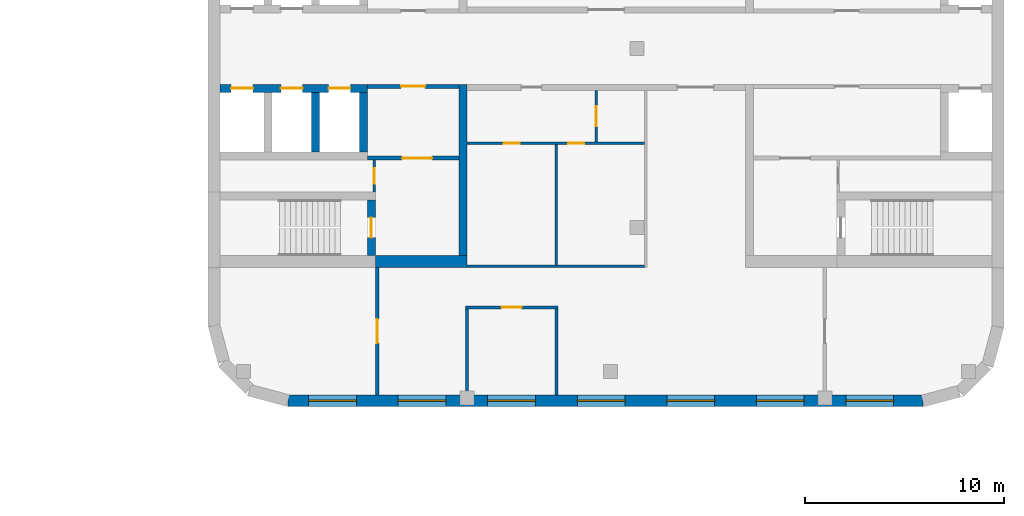
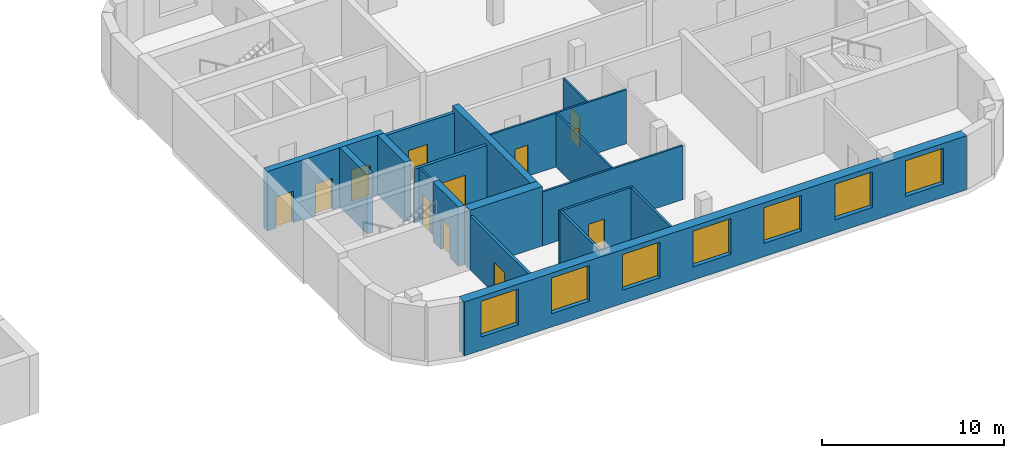
# One storey, part 7 of 16: 18 walls, 12 doors, 7 windows, 19 openings.
"""IFC4 building model written with IfcOpenShell, lengths in metres."""

from ifc_helpers import new_model, si_unit, direction, frame, frame_2d, origin, place, context, subcontext, project, spatial, rectangle, extrude, material, layer, layer_set, type_object, element, fill, save


model = new_model("IFC4")

# Units and contexts
model_context = context("Model", 3, precision=1e-05, world=origin(), true_north=direction((0.0, 1.0)))
body_context = subcontext(model_context, "Body", "Model", "MODEL_VIEW")
ifc_project = project(units=[si_unit("LENGTHUNIT", "METRE"), si_unit("AREAUNIT", "SQUARE_METRE"), si_unit("VOLUMEUNIT", "CUBIC_METRE"), si_unit("PLANEANGLEUNIT", "RADIAN"), si_unit("MASSUNIT", "GRAM", prefix="KILO")], contexts=[model_context])

# Site, building, storey
site_placement = place(None, origin())
site = spatial("IfcSite", under=ifc_project, at=site_placement, CompositionType="ELEMENT")
building_placement = place(site_placement, origin())
building = spatial("IfcBuilding", under=site, at=building_placement, Name="Skarvind Civic Tower", CompositionType="ELEMENT")
storey_placement = place(building_placement, frame((0.0, 0.0, 81.0)))
storey = spatial("IfcBuildingStorey", under=building, at=storey_placement, Name="L18", CompositionType="ELEMENT", Elevation=81.0)

# Wall, opening, door
ifc_material_1 = material(Name="Acoustic gypsum board on steel studs", Category="steel")
ifc_layer_1 = layer(ifc_material_1, 0.175048828125)
ifc_layer_set_1 = layer_set([ifc_layer_1], Name="ACOUSTIC MEETING-ROOM PARTITION 175")
wall_type_1 = type_object("IfcWallType", Name="ACOUSTIC MEETING-ROOM PARTITION 175", PredefinedType="PARTITIONING", material=ifc_layer_set_1)
wall_1_placement = place(storey_placement, frame((135.5, 117.0, 0.0), z_axis=(0.0, 0.0, 1.0), x_axis=(0.0, -1.0, 0.0)))
wall_1 = element("IfcWall", 1, at=wall_1_placement, inside=storey, type_object=wall_type_1, Name="Partition 18.001", PredefinedType="PARTITIONING", context=body_context, shape_type="SweptSolid", body=[
    extrude(rectangle(XDim=6.39990234375, YDim=0.175048828125, at=frame_2d((3.199951171875, 0.0))), origin(), (0.0, 0.0, 1.0), 3.625),
])
opening_1_placement = place(wall_1_placement, frame((2.60009765625, 0.0, 0.0)))
opening_1 = element("IfcOpeningElement", 2, at=opening_1_placement, cuts=wall_1, Name="Opening L18-D111", PredefinedType="OPENING", context=body_context, shape_type="SweptSolid", body=[
    extrude(rectangle(XDim=1.199951171875, YDim=2.10009765625, at=frame_2d((0.60009765625, 1.050048828125))), frame((0.0, 0.097412109375, 0.0), z_axis=(0.0, -1.0, 0.0), x_axis=(1.0, 0.0, 0.0)), (0.0, 0.0, 1.0), 0.195068359375),
])
ifc_material_2 = material(Name="Timber door leaf", Category="wood")
door_type_1 = type_object("IfcDoorType", Name="DOOR 1200X2100 DOUBLE TIMBER", OperationType="NOTDEFINED", PredefinedType="DOOR", material=ifc_material_2)
door_1_placement = place(opening_1_placement, origin())
door_1 = element("IfcDoor", 3, at=door_1_placement, inside=storey, type_object=door_type_1, Name="Door L18-D111", OperationType="DOUBLE_DOOR_SINGLE_SWING", OverallHeight=2.10009765625, OverallWidth=1.199951171875, PredefinedType="DOOR", context=body_context, shape_type="SweptSolid", body=[
    extrude(rectangle(XDim=1.199951171875, YDim=2.10009765625, at=frame_2d((0.60009765625, 1.050048828125))), frame((0.0, 0.02490234375, 0.0), z_axis=(0.0, -1.0, 0.0), x_axis=(1.0, 0.0, 0.0)), (0.0, 0.0, 1.0), 0.050048828125),
])
fill(opening_1, door_1)

ifc_material_3 = material(Name="Fire-rated masonry partition", Category="masonry")
ifc_layer_2 = layer(ifc_material_3, 0.199951171875)
ifc_layer_set_2 = layer_set([ifc_layer_2], Name="Core enclosure wall 200")
wall_type_2 = type_object("IfcWallType", Name="Core enclosure wall 200", PredefinedType="PARTITIONING", material=ifc_layer_set_2)
wall_2_placement = place(storey_placement, frame((139.60009765625, 126.10009765625, 0.0), z_axis=(0.0, 0.0, 1.0), x_axis=(-1.0, 0.0, 0.0)))
wall_2 = element("IfcWall", 4, at=wall_2_placement, inside=storey, type_object=wall_type_2, Name="Core wall CA", PredefinedType="PARTITIONING", context=body_context, shape_type="SweptSolid", body=[
    extrude(rectangle(XDim=4.60009765625, YDim=0.199951171875, at=frame_2d((2.300048828125, 0.0))), origin(), (0.0, 0.0, 1.0), 3.625),
])
opening_2_placement = place(wall_2_placement, frame((1.699951171875, 0.0, 0.0)))
opening_2 = element("IfcOpeningElement", 5, at=opening_2_placement, cuts=wall_2, Name="Opening D-L18-CA-10", PredefinedType="OPENING", context=body_context, shape_type="SweptSolid", body=[
    extrude(rectangle(XDim=1.199951171875, YDim=2.10009765625, at=frame_2d((0.60009765625, 1.050048828125))), frame((0.0, 0.10986328125, 0.0), z_axis=(0.0, -1.0, 0.0), x_axis=(1.0, 0.0, 0.0)), (0.0, 0.0, 1.0), 0.219970703125),
])
ifc_material_4 = material(Name="Fire-rated steel door", Category="steel")
door_type_2 = type_object("IfcDoorType", Name="Core lobby door 1200", OperationType="NOTDEFINED", PredefinedType="DOOR", material=ifc_material_4)
door_2_placement = place(opening_2_placement, origin())
door_2 = element("IfcDoor", 6, at=door_2_placement, inside=storey, type_object=door_type_2, Name="Fire door", OperationType="DOUBLE_DOOR_SINGLE_SWING", OverallHeight=2.10009765625, OverallWidth=1.199951171875, PredefinedType="DOOR", context=body_context, shape_type="SweptSolid", body=[
    extrude(rectangle(XDim=1.199951171875, YDim=2.10009765625, at=frame_2d((0.60009765625, 1.050048828125))), frame((0.0, 0.02490234375, 0.0), z_axis=(0.0, -1.0, 0.0), x_axis=(1.0, 0.0, 0.0)), (0.0, 0.0, 1.0), 0.050048828125),
])
fill(opening_2, door_2)

wall_3_placement = place(storey_placement, frame((139.60009765625, 122.5, 0.0), z_axis=(0.0, 0.0, 1.0), x_axis=(-1.0, 0.0, 0.0)))
wall_3 = element("IfcWall", 7, at=wall_3_placement, inside=storey, type_object=wall_type_2, Name="Core wall CA", PredefinedType="PARTITIONING", context=body_context, shape_type="SweptSolid", body=[
    extrude(rectangle(XDim=4.60009765625, YDim=0.199951171875, at=frame_2d((2.300048828125, 0.0))), origin(), (0.0, 0.0, 1.0), 3.625),
])
opening_3_placement = place(wall_3_placement, frame((1.35009765625, 0.0, 0.0)))
opening_3 = element("IfcOpeningElement", 8, at=opening_3_placement, cuts=wall_3, Name="Opening D-L18-CA-11", PredefinedType="OPENING", context=body_context, shape_type="SweptSolid", body=[
    extrude(rectangle(XDim=1.5, YDim=2.10009765625, at=frame_2d((0.75, 1.050048828125))), frame((0.0, 0.10986328125, 0.0), z_axis=(0.0, -1.0, 0.0), x_axis=(1.0, 0.0, 0.0)), (0.0, 0.0, 1.0), 0.219970703125),
])
door_type_3 = type_object("IfcDoorType", Name="Fire door 1500", OperationType="NOTDEFINED", PredefinedType="DOOR", material=ifc_material_4)
door_3_placement = place(opening_3_placement, origin())
door_3 = element("IfcDoor", 9, at=door_3_placement, inside=storey, type_object=door_type_3, Name="Fire door", OperationType="DOUBLE_DOOR_SINGLE_SWING", OverallHeight=2.10009765625, OverallWidth=1.5, PredefinedType="DOOR", context=body_context, shape_type="SweptSolid", body=[
    extrude(rectangle(XDim=1.5, YDim=2.10009765625, at=frame_2d((0.75, 1.050048828125))), frame((0.0, 0.02490234375, 0.0), z_axis=(0.0, -1.0, 0.0), x_axis=(1.0, 0.0, 0.0)), (0.0, 0.0, 1.0), 0.050048828125),
])
fill(opening_3, door_3)

ifc_material_5 = material(Name="Concrete C80", Category="concrete")
ifc_layer_3 = layer(ifc_material_5, 0.39990234375)
ifc_layer_set_3 = layer_set([ifc_layer_3], Name="Core wall 400 C80")
wall_type_3 = type_object("IfcWallType", Name="Core wall 400 C80", PredefinedType="SHEAR", material=ifc_layer_set_3)
wall_4_placement = place(storey_placement, frame((135.199951171875, 117.60009765625, 0.0), z_axis=(0.0, 0.0, 1.0), x_axis=(0.0, 1.0, 0.0)))
wall_4 = element("IfcWall", 10, at=wall_4_placement, inside=storey, type_object=wall_type_3, Name="Core wall CA south stair end L18", PredefinedType="SHEAR", context=body_context, shape_type="SweptSolid", body=[
    extrude(rectangle(XDim=2.7998046875, YDim=0.39990234375, at=frame_2d((1.39990234375, 0.0))), origin(), (0.0, 0.0, 1.0), 4.0),
])
opening_4_placement = place(wall_4_placement, frame((0.89990234375, 0.0, 0.0)))
opening_4 = element("IfcOpeningElement", 11, at=opening_4_placement, cuts=wall_4, Name="Opening D-L18-CA-12", PredefinedType="OPENING", context=body_context, shape_type="SweptSolid", body=[
    extrude(rectangle(XDim=1.0, YDim=2.10009765625, at=frame_2d((0.5, 1.050048828125))), frame((0.0, 0.2099609375, 0.0), z_axis=(0.0, -1.0, 0.0), x_axis=(1.0, 0.0, 0.0)), (0.0, 0.0, 1.0), 0.419921875),
])
door_type_4 = type_object("IfcDoorType", Name="Fire door 1000", OperationType="NOTDEFINED", PredefinedType="DOOR", material=ifc_material_4)
door_4_placement = place(opening_4_placement, origin())
door_4 = element("IfcDoor", 12, at=door_4_placement, inside=storey, type_object=door_type_4, Name="Fire door", OperationType="SINGLE_SWING_RIGHT", OverallHeight=2.10009765625, OverallWidth=1.0, PredefinedType="DOOR", context=body_context, shape_type="SweptSolid", body=[
    extrude(rectangle(XDim=1.0, YDim=2.10009765625, at=frame_2d((0.5, 1.050048828125))), frame((0.0, 0.02490234375, 0.0), z_axis=(0.0, -1.0, 0.0), x_axis=(1.0, 0.0, 0.0)), (0.0, 0.0, 1.0), 0.050048828125),
])
fill(opening_4, door_4)

# Wall, openings, doors
wall_5_placement = place(storey_placement, frame((127.60009765625, 126.0, 0.0), z_axis=(0.0, 0.0, 1.0), x_axis=(1.0, 0.0, 0.0)))
wall_5 = element("IfcWall", 13, at=wall_5_placement, inside=storey, type_object=wall_type_3, Name="Core wall CA south lift row front L18", PredefinedType="SHEAR", context=body_context, shape_type="SweptSolid", body=[
    extrude(rectangle(XDim=7.39990234375, YDim=0.39990234375, at=frame_2d((3.699951171875, 0.0))), origin(), (0.0, 0.0, 1.0), 4.0),
])
opening_5_placement = place(wall_5_placement, frame((0.550048828125, 0.0, 0.0)))
opening_5 = element("IfcOpeningElement", 14, at=opening_5_placement, cuts=wall_5, Name="Opening LD20304", PredefinedType="OPENING", context=body_context, shape_type="SweptSolid", body=[
    extrude(rectangle(XDim=1.10009765625, YDim=2.10009765625, at=frame_2d((0.550048828125, 1.050048828125))), frame((0.0, 0.2099609375, 0.0), z_axis=(0.0, -1.0, 0.0), x_axis=(1.0, 0.0, 0.0)), (0.0, 0.0, 1.0), 0.419921875),
])
opening_6_placement = place(wall_5_placement, frame((3.050048828125, 0.0, 0.0)))
opening_6 = element("IfcOpeningElement", 15, at=opening_6_placement, cuts=wall_5, Name="Opening LD20305", PredefinedType="OPENING", context=body_context, shape_type="SweptSolid", body=[
    extrude(rectangle(XDim=1.10009765625, YDim=2.10009765625, at=frame_2d((0.550048828125, 1.050048828125))), frame((0.0, 0.2099609375, 0.0), z_axis=(0.0, -1.0, 0.0), x_axis=(1.0, 0.0, 0.0)), (0.0, 0.0, 1.0), 0.419921875),
])
opening_7_placement = place(wall_5_placement, frame((5.449951171875, 0.0, 0.0)))
opening_7 = element("IfcOpeningElement", 16, at=opening_7_placement, cuts=wall_5, Name="Opening LD20306", PredefinedType="OPENING", context=body_context, shape_type="SweptSolid", body=[
    extrude(rectangle(XDim=1.10009765625, YDim=2.10009765625, at=frame_2d((0.550048828125, 1.050048828125))), frame((0.0, 0.2099609375, 0.0), z_axis=(0.0, -1.0, 0.0), x_axis=(1.0, 0.0, 0.0)), (0.0, 0.0, 1.0), 0.419921875),
])
ifc_material_6 = material(Name="Stainless steel landing door", Category="steel")
door_type_5 = type_object("IfcDoorType", Name="Lift landing door 1100", OperationType="DOUBLE_DOOR_SLIDING", PredefinedType="DOOR", material=ifc_material_6)
door_5_placement = place(opening_5_placement, origin())
door_5 = element("IfcDoor", 17, at=door_5_placement, inside=storey, type_object=door_type_5, Name="Lift landing door", OperationType="DOUBLE_DOOR_SLIDING", OverallHeight=2.10009765625, OverallWidth=1.10009765625, PredefinedType="DOOR", context=body_context, shape_type="SweptSolid", body=[
    extrude(rectangle(XDim=1.10009765625, YDim=2.10009765625, at=frame_2d((0.550048828125, 1.050048828125))), frame((0.0, 0.02490234375, 0.0), z_axis=(0.0, -1.0, 0.0), x_axis=(1.0, 0.0, 0.0)), (0.0, 0.0, 1.0), 0.050048828125),
])
fill(opening_5, door_5)
door_6_placement = place(opening_6_placement, origin())
door_6 = element("IfcDoor", 18, at=door_6_placement, inside=storey, type_object=door_type_5, Name="Lift landing door", OperationType="DOUBLE_DOOR_SLIDING", OverallHeight=2.10009765625, OverallWidth=1.10009765625, PredefinedType="DOOR", context=body_context, shape_type="SweptSolid", body=[
    extrude(rectangle(XDim=1.10009765625, YDim=2.10009765625, at=frame_2d((0.550048828125, 1.050048828125))), frame((0.0, 0.02490234375, 0.0), z_axis=(0.0, -1.0, 0.0), x_axis=(1.0, 0.0, 0.0)), (0.0, 0.0, 1.0), 0.050048828125),
])
fill(opening_6, door_6)
door_7_placement = place(opening_7_placement, origin())
door_7 = element("IfcDoor", 19, at=door_7_placement, inside=storey, type_object=door_type_5, Name="Lift landing door", OperationType="DOUBLE_DOOR_SLIDING", OverallHeight=2.10009765625, OverallWidth=1.10009765625, PredefinedType="DOOR", context=body_context, shape_type="SweptSolid", body=[
    extrude(rectangle(XDim=1.10009765625, YDim=2.10009765625, at=frame_2d((0.550048828125, 1.050048828125))), frame((0.0, 0.02490234375, 0.0), z_axis=(0.0, -1.0, 0.0), x_axis=(1.0, 0.0, 0.0)), (0.0, 0.0, 1.0), 0.050048828125),
])
fill(opening_7, door_7)

# Walls
for number, where, z_axis, x_axis, name in (
    (20, (132.39990234375, 122.800048828125, 0.0), (0.0, 0.0, 1.0), (0.0, 1.0, 0.0), "Core wall CA south lift row division 2 L18"),
    (21, (134.800048828125, 122.800048828125, 0.0), (0.0, 0.0, 1.0), (0.0, 1.0, 0.0), "Core wall CA south lift row division 3 L18"),
):
    element("IfcWall", number, at=place(storey_placement, frame(where, z_axis=z_axis, x_axis=x_axis)), inside=storey, type_object=wall_type_3, Name=name, PredefinedType="SHEAR", context=body_context, shape_type="SweptSolid", body=[
        extrude(rectangle(XDim=3.0, YDim=0.39990234375, at=frame_2d((1.5, 0.0))), origin(), (0.0, 0.0, 1.0), 4.0),
    ])
wall_6_placement = place(storey_placement, frame((139.800048828125, 117.60009765625, 0.0), z_axis=(0.0, 0.0, 1.0), x_axis=(0.0, 1.0, 0.0)))
element("IfcWall", 22, at=wall_6_placement, inside=storey, type_object=wall_type_3, Name="Core wall CA south inner face L18", PredefinedType="SHEAR", context=body_context, shape_type="SweptSolid", body=[
    extrude(rectangle(XDim=8.599853515625, YDim=0.39990234375, at=frame_2d((4.2998046875, 0.0))), origin(), (0.0, 0.0, 1.0), 4.0),
])
ifc_layer_4 = layer(ifc_material_5, 0.60009765625)
ifc_layer_set_4 = layer_set([ifc_layer_4], Name="Core wall 600 C80")
wall_type_4 = type_object("IfcWallType", Name="Core wall 600 C80", PredefinedType="SHEAR", material=ifc_layer_set_4)
wall_7_placement = place(storey_placement, frame((135.39990234375, 117.300048828125, 0.0), z_axis=(0.0, 0.0, 1.0), x_axis=(1.0, 0.0, 0.0)))
element("IfcWall", 23, at=wall_7_placement, inside=storey, type_object=wall_type_4, Name="Core wall CA south side L18", PredefinedType="SHEAR", context=body_context, shape_type="SweptSolid", body=[
    extrude(rectangle(XDim=4.60009765625, YDim=0.60009765625, at=frame_2d((2.300048828125, 0.0))), origin(), (0.0, 0.0, 1.0), 4.0),
])
ifc_material_7 = material(Name="Plasterboard partition on steel studs", Category="steel")
ifc_layer_5 = layer(ifc_material_7, 0.14990234375)
ifc_layer_set_5 = layer_set([ifc_layer_5], Name="PARTITION 150")
wall_type_5 = type_object("IfcWallType", Name="PARTITION 150", PredefinedType="PARTITIONING", material=ifc_layer_set_5)
wall_8_placement = place(storey_placement, frame((140.0, 110.60009765625, 0.0), z_axis=(0.0, 0.0, 1.0), x_axis=(0.0, 1.0, 0.0)))
element("IfcWall", 24, at=wall_8_placement, inside=storey, type_object=wall_type_5, Name="Partition 18.003", PredefinedType="PARTITIONING", context=body_context, shape_type="SweptSolid", body=[
    extrude(rectangle(XDim=4.324951171875, YDim=0.14990234375, at=frame_2d((2.16259765625, 0.0))), origin(), (0.0, 0.0, 1.0), 3.625),
])

# Wall, opening, door
wall_9_placement = place(storey_placement, frame((139.925048828125, 115.0, 0.0), z_axis=(0.0, 0.0, 1.0), x_axis=(1.0, 0.0, 0.0)))
wall_9 = element("IfcWall", 25, at=wall_9_placement, inside=storey, type_object=wall_type_5, Name="Partition 18.004", PredefinedType="PARTITIONING", context=body_context, shape_type="SweptSolid", body=[
    extrude(rectangle(XDim=4.64990234375, YDim=0.14990234375, at=frame_2d((2.324951171875, 0.0))), origin(), (0.0, 0.0, 1.0), 3.625),
])
opening_8_placement = place(wall_9_placement, frame((1.824951171875, 0.0, 0.0)))
opening_8 = element("IfcOpeningElement", 26, at=opening_8_placement, cuts=wall_9, Name="Opening L18-D110", PredefinedType="OPENING", context=body_context, shape_type="SweptSolid", body=[
    extrude(rectangle(XDim=1.0, YDim=2.10009765625, at=frame_2d((0.5, 1.050048828125))), frame((0.0, 0.0849609375, 0.0), z_axis=(0.0, -1.0, 0.0), x_axis=(1.0, 0.0, 0.0)), (0.0, 0.0, 1.0), 0.169921875),
])
door_type_6 = type_object("IfcDoorType", Name="D1 1000x2100", OperationType="NOTDEFINED", PredefinedType="DOOR", material=ifc_material_2)
door_8_placement = place(opening_8_placement, origin())
door_8 = element("IfcDoor", 27, at=door_8_placement, inside=storey, type_object=door_type_6, Name="Door L18-D110", OperationType="SINGLE_SWING_LEFT", OverallHeight=2.10009765625, OverallWidth=1.0, PredefinedType="DOOR", context=body_context, shape_type="SweptSolid", body=[
    extrude(rectangle(XDim=1.0, YDim=2.10009765625, at=frame_2d((0.5, 1.050048828125))), frame((0.0, 0.02490234375, 0.0), z_axis=(0.0, -1.0, 0.0), x_axis=(1.0, 0.0, 0.0)), (0.0, 0.0, 1.0), 0.050048828125),
])
fill(opening_8, door_8)

# Wall
wall_10_placement = place(storey_placement, frame((144.5, 114.925048828125, 0.0), z_axis=(0.0, 0.0, 1.0), x_axis=(0.0, -1.0, 0.0)))
element("IfcWall", 28, at=wall_10_placement, inside=storey, type_object=wall_type_5, Name="Partition 18.009", PredefinedType="PARTITIONING", context=body_context, shape_type="SweptSolid", body=[
    extrude(rectangle(XDim=4.324951171875, YDim=0.14990234375, at=frame_2d((2.16259765625, 0.0))), origin(), (0.0, 0.0, 1.0), 3.625),
])

# Wall, opening, door
ifc_layer_6 = layer(ifc_material_3, 0.125)
ifc_layer_set_6 = layer_set([ifc_layer_6], Name="Riser wall 125")
wall_type_6 = type_object("IfcWallType", Name="Riser wall 125", PredefinedType="PARTITIONING", material=ifc_layer_set_6)
wall_11_placement = place(storey_placement, frame((135.33740234375, 122.39990234375, 0.0), z_axis=(0.0, 0.0, 1.0), x_axis=(0.0, -1.0, 0.0)))
wall_11 = element("IfcWall", 29, at=wall_11_placement, inside=storey, type_object=wall_type_6, Name="Core wall CA", PredefinedType="PARTITIONING", context=body_context, shape_type="SweptSolid", body=[
    extrude(rectangle(XDim=1.599853515625, YDim=0.125, at=frame_2d((0.7998046875, 0.0))), origin(), (0.0, 0.0, 1.0), 3.625),
])
opening_9_placement = place(wall_11_placement, frame((0.39990234375, 0.0, 0.0)))
opening_9 = element("IfcOpeningElement", 30, at=opening_9_placement, cuts=wall_11, Name="Opening D-L18-CA-13", PredefinedType="OPENING", context=body_context, shape_type="SweptSolid", body=[
    extrude(rectangle(XDim=0.800048828125, YDim=2.10009765625, at=frame_2d((0.39990234375, 1.050048828125))), frame((0.0, 0.072509765625, 0.0), z_axis=(0.0, -1.0, 0.0), x_axis=(1.0, 0.0, 0.0)), (0.0, 0.0, 1.0), 0.14501953125),
])
door_type_7 = type_object("IfcDoorType", Name="Core riser door 800", OperationType="NOTDEFINED", PredefinedType="DOOR", material=ifc_material_4)
door_9_placement = place(opening_9_placement, origin())
door_9 = element("IfcDoor", 31, at=door_9_placement, inside=storey, type_object=door_type_7, Name="Riser door", OperationType="SINGLE_SWING_LEFT", OverallHeight=2.10009765625, OverallWidth=0.800048828125, PredefinedType="DOOR", context=body_context, shape_type="SweptSolid", body=[
    extrude(rectangle(XDim=0.800048828125, YDim=2.10009765625, at=frame_2d((0.39990234375, 1.050048828125))), frame((0.0, 0.02490234375, 0.0), z_axis=(0.0, -1.0, 0.0), x_axis=(1.0, 0.0, 0.0)), (0.0, 0.0, 1.0), 0.050048828125),
])
fill(opening_9, door_9)

# Wall
ifc_material_8 = material(Name="Moisture-resistant gypsum board on steel studs", Category="steel")
ifc_layer_7 = layer(ifc_material_8, 0.125)
ifc_layer_set_7 = layer_set([ifc_layer_7], Name="WC PARTITION 125")
wall_type_7 = type_object("IfcWallType", Name="WC PARTITION 125", PredefinedType="PARTITIONING", material=ifc_layer_set_7)
wall_12_placement = place(storey_placement, frame((140.0, 117.050048828125, 0.0), z_axis=(0.0, 0.0, 1.0), x_axis=(1.0, 0.0, 0.0)))
element("IfcWall", 32, at=wall_12_placement, inside=storey, type_object=wall_type_7, Name="Partition 18.005", PredefinedType="PARTITIONING", context=body_context, shape_type="SweptSolid", body=[
    extrude(rectangle(XDim=8.93798828125, YDim=0.125, at=frame_2d((4.468994140625, 0.0))), origin(), (0.0, 0.0, 1.0), 3.625),
])

# Wall, openings, doors
wall_13_placement = place(storey_placement, frame((148.93798828125, 123.25, 0.0), z_axis=(0.0, 0.0, 1.0), x_axis=(-1.0, 0.0, 0.0)))
wall_13 = element("IfcWall", 33, at=wall_13_placement, inside=storey, type_object=wall_type_7, Name="Partition 18.006", PredefinedType="PARTITIONING", context=body_context, shape_type="SweptSolid", body=[
    extrude(rectangle(XDim=8.93798828125, YDim=0.125, at=frame_2d((4.468994140625, 0.0))), origin(), (0.0, 0.0, 1.0), 3.625),
])
opening_10_placement = place(wall_13_placement, frame((6.2880859375, 0.0, 0.0)))
opening_10 = element("IfcOpeningElement", 34, at=opening_10_placement, cuts=wall_13, Name="Opening L18-D107", PredefinedType="OPENING", context=body_context, shape_type="SweptSolid", body=[
    extrude(rectangle(XDim=0.800048828125, YDim=2.10009765625, at=frame_2d((0.39990234375, 1.050048828125))), frame((0.0, 0.072509765625, 0.0), z_axis=(0.0, -1.0, 0.0), x_axis=(1.0, 0.0, 0.0)), (0.0, 0.0, 1.0), 0.14501953125),
])
opening_11_placement = place(wall_13_placement, frame((3.03662109375, 0.0, 0.0)))
opening_11 = element("IfcOpeningElement", 35, at=opening_11_placement, cuts=wall_13, Name="Opening L18-D108", PredefinedType="OPENING", context=body_context, shape_type="SweptSolid", body=[
    extrude(rectangle(XDim=0.800048828125, YDim=2.10009765625, at=frame_2d((0.39990234375, 1.050048828125))), frame((0.0, 0.072509765625, 0.0), z_axis=(0.0, -1.0, 0.0), x_axis=(1.0, 0.0, 0.0)), (0.0, 0.0, 1.0), 0.14501953125),
])
door_type_8 = type_object("IfcDoorType", Name="DOOR 800X2100 TIMBER", OperationType="NOTDEFINED", PredefinedType="DOOR", material=ifc_material_2)
door_10_placement = place(opening_10_placement, origin())
door_10 = element("IfcDoor", 36, at=door_10_placement, inside=storey, type_object=door_type_8, Name="Door L18-D107", OperationType="SINGLE_SWING_RIGHT", OverallHeight=2.10009765625, OverallWidth=0.800048828125, PredefinedType="DOOR", context=body_context, shape_type="SweptSolid", body=[
    extrude(rectangle(XDim=0.800048828125, YDim=2.10009765625, at=frame_2d((0.39990234375, 1.050048828125))), frame((0.0, 0.02490234375, 0.0), z_axis=(0.0, -1.0, 0.0), x_axis=(1.0, 0.0, 0.0)), (0.0, 0.0, 1.0), 0.050048828125),
])
fill(opening_10, door_10)
door_11_placement = place(opening_11_placement, origin())
door_11 = element("IfcDoor", 37, at=door_11_placement, inside=storey, type_object=door_type_8, Name="Door L18-D108", OperationType="SINGLE_SWING_LEFT", OverallHeight=2.10009765625, OverallWidth=0.800048828125, PredefinedType="DOOR", context=body_context, shape_type="SweptSolid", body=[
    extrude(rectangle(XDim=0.800048828125, YDim=2.10009765625, at=frame_2d((0.39990234375, 1.050048828125))), frame((0.0, 0.02490234375, 0.0), z_axis=(0.0, -1.0, 0.0), x_axis=(1.0, 0.0, 0.0)), (0.0, 0.0, 1.0), 0.050048828125),
])
fill(opening_11, door_11)

# Wall
wall_14_placement = place(storey_placement, frame((144.5, 117.112060546875, 0.0), z_axis=(0.0, 0.0, 1.0), x_axis=(0.0, 1.0, 0.0)))
element("IfcWall", 38, at=wall_14_placement, inside=storey, type_object=wall_type_7, Name="Partition 18.010", PredefinedType="PARTITIONING", context=body_context, shape_type="SweptSolid", body=[
    extrude(rectangle(XDim=6.075927734375, YDim=0.125, at=frame_2d((3.0380859375, 0.0))), origin(), (0.0, 0.0, 1.0), 3.625),
])

# Wall, opening, door
wall_15_placement = place(storey_placement, frame((146.5, 125.89990234375, 0.0), z_axis=(0.0, 0.0, 1.0), x_axis=(0.0, -1.0, 0.0)))
wall_15 = element("IfcWall", 39, at=wall_15_placement, inside=storey, type_object=wall_type_7, Name="Partition 18.013", PredefinedType="PARTITIONING", context=body_context, shape_type="SweptSolid", body=[
    extrude(rectangle(XDim=2.587890625, YDim=0.125, at=frame_2d((1.2939453125, 0.0))), origin(), (0.0, 0.0, 1.0), 3.625),
])
opening_12_placement = place(wall_15_placement, frame((0.7939453125, 0.0, 0.0)))
opening_12 = element("IfcOpeningElement", 40, at=opening_12_placement, cuts=wall_15, Name="Opening L18-D106", PredefinedType="OPENING", context=body_context, shape_type="SweptSolid", body=[
    extrude(rectangle(XDim=1.0, YDim=2.10009765625, at=frame_2d((0.5, 1.050048828125))), frame((0.0, 0.072509765625, 0.0), z_axis=(0.0, -1.0, 0.0), x_axis=(1.0, 0.0, 0.0)), (0.0, 0.0, 1.0), 0.14501953125),
])
door_12_placement = place(opening_12_placement, origin())
door_12 = element("IfcDoor", 41, at=door_12_placement, inside=storey, type_object=door_type_6, Name="Door L18-D106", OperationType="SINGLE_SWING_RIGHT", OverallHeight=2.10009765625, OverallWidth=1.0, PredefinedType="DOOR", context=body_context, shape_type="SweptSolid", body=[
    extrude(rectangle(XDim=1.0, YDim=2.10009765625, at=frame_2d((0.5, 1.050048828125))), frame((0.0, 0.02490234375, 0.0), z_axis=(0.0, -1.0, 0.0), x_axis=(1.0, 0.0, 0.0)), (0.0, 0.0, 1.0), 0.050048828125),
])
fill(opening_12, door_12)

# Wall, openings, windows
ifc_material_9 = material(Name="Limestone masonry cladding on insulated backing", Category="masonry")
ifc_layer_8 = layer(ifc_material_9, 0.60009765625)
ifc_layer_set_8 = layer_set([ifc_layer_8], Name="WX1 STONE FACADE WALL 600")
wall_type_8 = type_object("IfcWallType", Name="WX1 STONE FACADE WALL 600", PredefinedType="SOLIDWALL", material=ifc_layer_set_8)
wall_16_placement = place(storey_placement, frame((162.929931640625, 110.300048828125, 0.0), z_axis=(0.0, 0.0, 1.0), x_axis=(-1.0, 0.0, 0.0)))
wall_16 = element("IfcWall", 42, at=wall_16_placement, inside=storey, type_object=wall_type_8, Name="STONE FACADE WALL", PredefinedType="SOLIDWALL", context=body_context, shape_type="SweptSolid", body=[
    extrude(rectangle(XDim=31.929931640625, YDim=0.60009765625, at=frame_2d((15.96484375, 0.0))), origin(), (0.0, 0.0, 1.0), 3.625),
])
opening_13_placement = place(wall_16_placement, frame((1.47998046875, 0.0, 0.89990234375)))
opening_13 = element("IfcOpeningElement", 43, at=opening_13_placement, cuts=wall_16, Name="Opening WN9", PredefinedType="OPENING", context=body_context, shape_type="SweptSolid", body=[
    extrude(rectangle(XDim=2.39990234375, YDim=2.39990234375, at=frame_2d((1.199951171875, 1.199951171875))), frame((0.0, 0.31005859375, 0.0), z_axis=(0.0, -1.0, 0.0), x_axis=(1.0, 0.0, 0.0)), (0.0, 0.0, 1.0), 0.6201171875),
])
opening_14_placement = place(wall_16_placement, frame((5.97998046875, 0.0, 0.89990234375)))
opening_14 = element("IfcOpeningElement", 44, at=opening_14_placement, cuts=wall_16, Name="Opening WN9", PredefinedType="OPENING", context=body_context, shape_type="SweptSolid", body=[
    extrude(rectangle(XDim=2.39990234375, YDim=2.39990234375, at=frame_2d((1.199951171875, 1.199951171875))), frame((0.0, 0.31005859375, 0.0), z_axis=(0.0, -1.0, 0.0), x_axis=(1.0, 0.0, 0.0)), (0.0, 0.0, 1.0), 0.6201171875),
])
opening_15_placement = place(wall_16_placement, frame((10.47998046875, 0.0, 0.89990234375)))
opening_15 = element("IfcOpeningElement", 45, at=opening_15_placement, cuts=wall_16, Name="Opening WN9", PredefinedType="OPENING", context=body_context, shape_type="SweptSolid", body=[
    extrude(rectangle(XDim=2.39990234375, YDim=2.39990234375, at=frame_2d((1.199951171875, 1.199951171875))), frame((0.0, 0.31005859375, 0.0), z_axis=(0.0, -1.0, 0.0), x_axis=(1.0, 0.0, 0.0)), (0.0, 0.0, 1.0), 0.6201171875),
])
opening_16_placement = place(wall_16_placement, frame((14.97998046875, 0.0, 0.89990234375)))
opening_16 = element("IfcOpeningElement", 46, at=opening_16_placement, cuts=wall_16, Name="Opening WN9", PredefinedType="OPENING", context=body_context, shape_type="SweptSolid", body=[
    extrude(rectangle(XDim=2.39990234375, YDim=2.39990234375, at=frame_2d((1.199951171875, 1.199951171875))), frame((0.0, 0.31005859375, 0.0), z_axis=(0.0, -1.0, 0.0), x_axis=(1.0, 0.0, 0.0)), (0.0, 0.0, 1.0), 0.6201171875),
])
opening_17_placement = place(wall_16_placement, frame((19.47998046875, 0.0, 0.89990234375)))
opening_17 = element("IfcOpeningElement", 47, at=opening_17_placement, cuts=wall_16, Name="Opening WN9", PredefinedType="OPENING", context=body_context, shape_type="SweptSolid", body=[
    extrude(rectangle(XDim=2.39990234375, YDim=2.39990234375, at=frame_2d((1.199951171875, 1.199951171875))), frame((0.0, 0.31005859375, 0.0), z_axis=(0.0, -1.0, 0.0), x_axis=(1.0, 0.0, 0.0)), (0.0, 0.0, 1.0), 0.6201171875),
])
opening_18_placement = place(wall_16_placement, frame((23.97998046875, 0.0, 0.89990234375)))
opening_18 = element("IfcOpeningElement", 48, at=opening_18_placement, cuts=wall_16, Name="Opening WN9", PredefinedType="OPENING", context=body_context, shape_type="SweptSolid", body=[
    extrude(rectangle(XDim=2.39990234375, YDim=2.39990234375, at=frame_2d((1.199951171875, 1.199951171875))), frame((0.0, 0.31005859375, 0.0), z_axis=(0.0, -1.0, 0.0), x_axis=(1.0, 0.0, 0.0)), (0.0, 0.0, 1.0), 0.6201171875),
])
opening_19_placement = place(wall_16_placement, frame((28.47998046875, 0.0, 0.89990234375)))
opening_19 = element("IfcOpeningElement", 49, at=opening_19_placement, cuts=wall_16, Name="Opening WN9", PredefinedType="OPENING", context=body_context, shape_type="SweptSolid", body=[
    extrude(rectangle(XDim=2.39990234375, YDim=2.39990234375, at=frame_2d((1.199951171875, 1.199951171875))), frame((0.0, 0.31005859375, 0.0), z_axis=(0.0, -1.0, 0.0), x_axis=(1.0, 0.0, 0.0)), (0.0, 0.0, 1.0), 0.6201171875),
])
ifc_material_10 = material(Name="Timber frame, double glazing, timber-lined reveal", Category="wood")
window_type = type_object("IfcWindowType", Name="WN9 COMPANION TOWER WINDOW 2400 x 2400", PartitioningType="SINGLE_PANEL", PredefinedType="WINDOW", material=ifc_material_10)
window_1_placement = place(opening_13_placement, origin())
window_1 = element("IfcWindow", 50, at=window_1_placement, inside=storey, type_object=window_type, Name="WN9 WINDOW", OverallHeight=2.39990234375, OverallWidth=2.39990234375, PartitioningType="SINGLE_PANEL", PredefinedType="WINDOW", context=body_context, shape_type="SweptSolid", body=[
    extrude(rectangle(XDim=2.39990234375, YDim=2.39990234375, at=frame_2d((1.199951171875, 1.199951171875))), frame((0.0, 0.030029296875, 0.0), z_axis=(0.0, -1.0, 0.0), x_axis=(1.0, 0.0, 0.0)), (0.0, 0.0, 1.0), 0.06005859375),
])
fill(opening_13, window_1)
window_2_placement = place(opening_14_placement, origin())
window_2 = element("IfcWindow", 51, at=window_2_placement, inside=storey, type_object=window_type, Name="WN9 WINDOW", OverallHeight=2.39990234375, OverallWidth=2.39990234375, PartitioningType="SINGLE_PANEL", PredefinedType="WINDOW", context=body_context, shape_type="SweptSolid", body=[
    extrude(rectangle(XDim=2.39990234375, YDim=2.39990234375, at=frame_2d((1.199951171875, 1.199951171875))), frame((0.0, 0.030029296875, 0.0), z_axis=(0.0, -1.0, 0.0), x_axis=(1.0, 0.0, 0.0)), (0.0, 0.0, 1.0), 0.06005859375),
])
fill(opening_14, window_2)
window_3_placement = place(opening_15_placement, origin())
window_3 = element("IfcWindow", 52, at=window_3_placement, inside=storey, type_object=window_type, Name="WN9 WINDOW", OverallHeight=2.39990234375, OverallWidth=2.39990234375, PartitioningType="SINGLE_PANEL", PredefinedType="WINDOW", context=body_context, shape_type="SweptSolid", body=[
    extrude(rectangle(XDim=2.39990234375, YDim=2.39990234375, at=frame_2d((1.199951171875, 1.199951171875))), frame((0.0, 0.030029296875, 0.0), z_axis=(0.0, -1.0, 0.0), x_axis=(1.0, 0.0, 0.0)), (0.0, 0.0, 1.0), 0.06005859375),
])
fill(opening_15, window_3)
window_4_placement = place(opening_16_placement, origin())
window_4 = element("IfcWindow", 53, at=window_4_placement, inside=storey, type_object=window_type, Name="WN9 WINDOW", OverallHeight=2.39990234375, OverallWidth=2.39990234375, PartitioningType="SINGLE_PANEL", PredefinedType="WINDOW", context=body_context, shape_type="SweptSolid", body=[
    extrude(rectangle(XDim=2.39990234375, YDim=2.39990234375, at=frame_2d((1.199951171875, 1.199951171875))), frame((0.0, 0.030029296875, 0.0), z_axis=(0.0, -1.0, 0.0), x_axis=(1.0, 0.0, 0.0)), (0.0, 0.0, 1.0), 0.06005859375),
])
fill(opening_16, window_4)
window_5_placement = place(opening_17_placement, origin())
window_5 = element("IfcWindow", 54, at=window_5_placement, inside=storey, type_object=window_type, Name="WN9 WINDOW", OverallHeight=2.39990234375, OverallWidth=2.39990234375, PartitioningType="SINGLE_PANEL", PredefinedType="WINDOW", context=body_context, shape_type="SweptSolid", body=[
    extrude(rectangle(XDim=2.39990234375, YDim=2.39990234375, at=frame_2d((1.199951171875, 1.199951171875))), frame((0.0, 0.030029296875, 0.0), z_axis=(0.0, -1.0, 0.0), x_axis=(1.0, 0.0, 0.0)), (0.0, 0.0, 1.0), 0.06005859375),
])
fill(opening_17, window_5)
window_6_placement = place(opening_18_placement, origin())
window_6 = element("IfcWindow", 55, at=window_6_placement, inside=storey, type_object=window_type, Name="WN9 WINDOW", OverallHeight=2.39990234375, OverallWidth=2.39990234375, PartitioningType="SINGLE_PANEL", PredefinedType="WINDOW", context=body_context, shape_type="SweptSolid", body=[
    extrude(rectangle(XDim=2.39990234375, YDim=2.39990234375, at=frame_2d((1.199951171875, 1.199951171875))), frame((0.0, 0.030029296875, 0.0), z_axis=(0.0, -1.0, 0.0), x_axis=(1.0, 0.0, 0.0)), (0.0, 0.0, 1.0), 0.06005859375),
])
fill(opening_18, window_6)
window_7_placement = place(opening_19_placement, origin())
window_7 = element("IfcWindow", 56, at=window_7_placement, inside=storey, type_object=window_type, Name="WN9 WINDOW", OverallHeight=2.39990234375, OverallWidth=2.39990234375, PartitioningType="SINGLE_PANEL", PredefinedType="WINDOW", context=body_context, shape_type="SweptSolid", body=[
    extrude(rectangle(XDim=2.39990234375, YDim=2.39990234375, at=frame_2d((1.199951171875, 1.199951171875))), frame((0.0, 0.030029296875, 0.0), z_axis=(0.0, -1.0, 0.0), x_axis=(1.0, 0.0, 0.0)), (0.0, 0.0, 1.0), 0.06005859375),
])
fill(opening_19, window_7)

save(model, "model.ifc")
